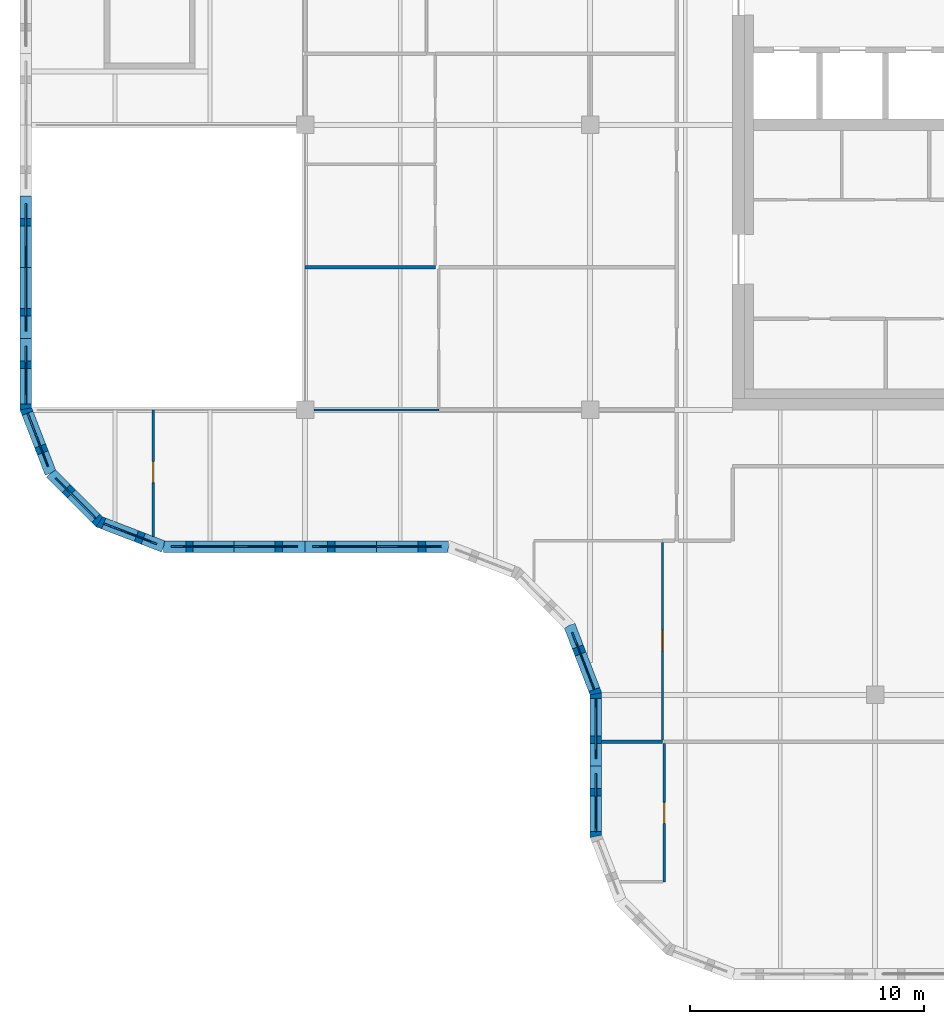
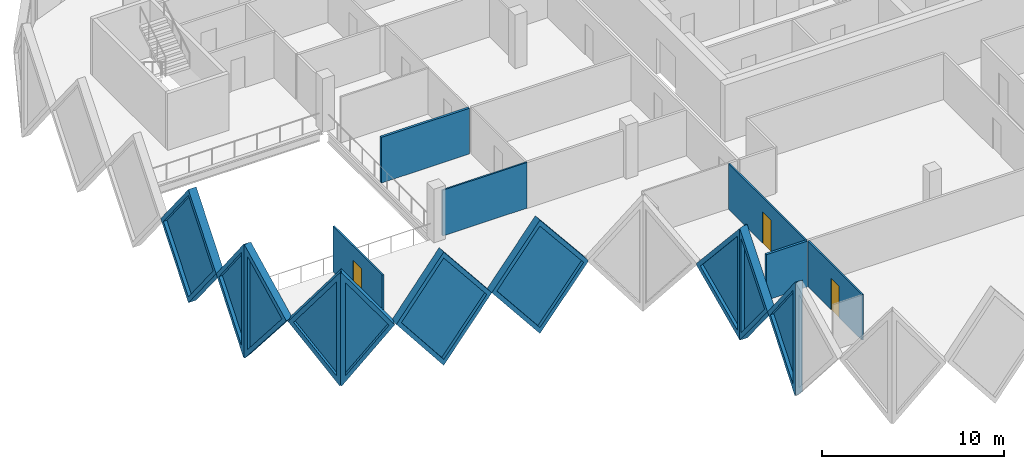
# One storey, part 3 of 11: 16 walls, 10 plates, 3 doors, 13 openings.
"""IFC4 building model written with IfcOpenShell, lengths in metres."""

from ifc_helpers import new_model, si_unit, direction, frame, frame_2d, origin, place, context, subcontext, project, spatial, polyline, rectangle, outline, extrude, faceted_brep, source, transform, mapped, material, layer, layer_set, type_object, element, fill, save


model = new_model("IFC4")

# Units and contexts
model_context = context("Model", 3, precision=1e-05, world=origin(), true_north=direction((0.0, 1.0)))
body_context = subcontext(model_context, "Body", "Model", "MODEL_VIEW")
ifc_project = project(units=[si_unit("LENGTHUNIT", "METRE"), si_unit("AREAUNIT", "SQUARE_METRE"), si_unit("VOLUMEUNIT", "CUBIC_METRE"), si_unit("PLANEANGLEUNIT", "RADIAN"), si_unit("MASSUNIT", "GRAM", prefix="KILO")], contexts=[model_context])

# Site, building, storey
site_placement = place(None, origin())
site = spatial("IfcSite", under=ifc_project, at=site_placement, CompositionType="ELEMENT")
building_placement = place(site_placement, origin())
building = spatial("IfcBuilding", under=site, at=building_placement, Name="Tessera Gate Towers", CompositionType="ELEMENT")
storey_placement = place(building_placement, frame((0.0, 0.0, 224.5)))
storey = spatial("IfcBuildingStorey", under=building, at=storey_placement, Name="L56", CompositionType="ELEMENT", Elevation=224.5)

# Wall, opening, door
ifc_material_1 = material(Name="Glass", Category="glass")
ifc_layer_1 = layer(ifc_material_1, 0.10009765625)
ifc_layer_set_1 = layer_set([ifc_layer_1], Name="GLAZED PARTITION 100")
wall_type_1 = type_object("IfcWallType", Name="GLAZED PARTITION 100", PredefinedType="PARTITIONING", material=ifc_layer_set_1)
wall_1_placement = place(storey_placement, frame((27.574951171875, 4.199951171875, 0.0), z_axis=(0.0, 0.0, 1.0), x_axis=(0.0, 1.0, 0.0)))
wall_1 = element("IfcWall", 1, at=wall_1_placement, inside=storey, type_object=wall_type_1, Name="T1-L56-PW-004", PredefinedType="PARTITIONING", context=body_context, shape_type="SweptSolid", body=[
    extrude(rectangle(XDim=5.924072265625, YDim=0.10009765625, at=frame_2d((2.9619140625, 0.0))), origin(), (0.0, 0.0, 1.0), 3.06689453125),
])
shared_shape_1 = source(origin(), body_context, "Body", "SweptSolid", [
    extrude(rectangle(XDim=0.89990234375, YDim=2.10009765625, at=frame_2d((0.449951171875, 1.050048828125))), frame((0.0, 0.06005859375, 0.0), z_axis=(0.0, -1.0, 0.0), x_axis=(1.0, 0.0, 0.0)), (0.0, 0.0, 1.0), 0.1201171875),
])
opening_1_placement = place(wall_1_placement, frame((2.5, 0.0, 0.0)))
opening_1 = element("IfcOpeningElement", 2, at=opening_1_placement, cuts=wall_1, Name="Opening D690-A20-08", PredefinedType="OPENING", context=body_context, shape_type="MappedRepresentation", body=[
    mapped(shared_shape_1, transform((0.0, 0.0, 0.0), scale=1.0)),
])
ifc_material_2 = material(Name="Glass in aluminium frame", Category="aluminium")
door_type = type_object("IfcDoorType", Name="GLAZED DOOR 900 NOT RATED", OperationType="NOTDEFINED", PredefinedType="DOOR", material=ifc_material_2)
shared_shape_2 = source(origin(), body_context, "Body", "SweptSolid", [
    extrude(rectangle(XDim=0.89990234375, YDim=2.10009765625, at=frame_2d((0.449951171875, 1.050048828125))), frame((0.0, 0.02490234375, 0.0), z_axis=(0.0, -1.0, 0.0), x_axis=(1.0, 0.0, 0.0)), (0.0, 0.0, 1.0), 0.050048828125),
])
door_1_placement = place(opening_1_placement, origin())
door_1 = element("IfcDoor", 3, at=door_1_placement, inside=storey, type_object=door_type, Name="T1-L56-PD-018", OperationType="SINGLE_SWING_LEFT", OverallHeight=2.10009765625, OverallWidth=0.89990234375, PredefinedType="DOOR", context=body_context, shape_type="MappedRepresentation", body=[
    mapped(shared_shape_2, transform((0.0, 0.0, 0.0), scale=1.0)),
])
fill(opening_1, door_1)

wall_2_placement = place(storey_placement, frame((27.5, 10.27587890625, 0.0), z_axis=(0.0, 0.0, 1.0), x_axis=(0.0, 1.0, 0.0)))
wall_2 = element("IfcWall", 4, at=wall_2_placement, inside=storey, type_object=wall_type_1, Name="T1-L56-PW-009", PredefinedType="PARTITIONING", context=body_context, shape_type="SweptSolid", body=[
    extrude(rectangle(XDim=8.4482421875, YDim=0.10009765625, at=frame_2d((4.22412109375, 0.0))), origin(), (0.0, 0.0, 1.0), 3.06689453125),
])
opening_2_placement = place(wall_2_placement, frame((3.800048828125, 0.0, 0.0)))
opening_2 = element("IfcOpeningElement", 5, at=opening_2_placement, cuts=wall_2, Name="Opening D690-A20-09", PredefinedType="OPENING", context=body_context, shape_type="MappedRepresentation", body=[
    mapped(shared_shape_1, transform((0.0, 0.0, 0.0), scale=1.0)),
])
door_2_placement = place(opening_2_placement, origin())
door_2 = element("IfcDoor", 6, at=door_2_placement, inside=storey, type_object=door_type, Name="T1-L56-PD-020", OperationType="SINGLE_SWING_LEFT", OverallHeight=2.10009765625, OverallWidth=0.89990234375, PredefinedType="DOOR", context=body_context, shape_type="MappedRepresentation", body=[
    mapped(shared_shape_2, transform((0.0, 0.0, 0.0), scale=1.0)),
])
fill(opening_2, door_2)

wall_3_placement = place(storey_placement, frame((5.699951171875, 18.990234375, 0.0), z_axis=(0.0, 0.0, 1.0), x_axis=(0.0, 1.0, 0.0)))
wall_3 = element("IfcWall", 7, at=wall_3_placement, inside=storey, type_object=wall_type_1, Name="T1-L56-PW-017", PredefinedType="PARTITIONING", context=body_context, shape_type="SweptSolid", body=[
    extrude(rectangle(XDim=5.40966796875, YDim=0.10009765625, at=frame_2d((2.704833984375, 0.0))), origin(), (0.0, 0.0, 1.0), 3.06689453125),
])
opening_3_placement = place(wall_3_placement, frame((2.300048828125, 0.0, 0.0)))
opening_3 = element("IfcOpeningElement", 8, at=opening_3_placement, cuts=wall_3, Name="Opening D690-A20-03", PredefinedType="OPENING", context=body_context, shape_type="MappedRepresentation", body=[
    mapped(shared_shape_1, transform((0.0, 0.0, 0.0), scale=1.0)),
])
door_3_placement = place(opening_3_placement, origin())
door_3 = element("IfcDoor", 9, at=door_3_placement, inside=storey, type_object=door_type, Name="T1-L56-PD-009", OperationType="SINGLE_SWING_LEFT", OverallHeight=2.10009765625, OverallWidth=0.89990234375, PredefinedType="DOOR", context=body_context, shape_type="MappedRepresentation", body=[
    mapped(shared_shape_2, transform((0.0, 0.0, 0.0), scale=1.0)),
])
fill(opening_3, door_3)

# Walls
wall_4_placement = place(storey_placement, frame((12.575927734375, 24.39990234375, 0.0), z_axis=(0.0, 0.0, 1.0), x_axis=(1.0, 0.0, 0.0)))
element("IfcWall", 10, at=wall_4_placement, inside=storey, type_object=wall_type_1, Name="T1-L56-PW-022", PredefinedType="PARTITIONING", context=body_context, shape_type="SweptSolid", body=[
    extrude(rectangle(XDim=5.34814453125, YDim=0.10009765625, at=frame_2d((2.674072265625, 0.0))), origin(), (0.0, 0.0, 1.0), 3.06689453125),
])
ifc_material_3 = material(Name="Gypsum board on steel studs, mineral wool", Category="steel")
ifc_layer_2 = layer(ifc_material_3, 0.14990234375)
ifc_layer_set_2 = layer_set([ifc_layer_2], Name="TENANCY WALL 150")
wall_type_2 = type_object("IfcWallType", Name="TENANCY WALL 150", PredefinedType="PARTITIONING", material=ifc_layer_set_2)
wall_5_placement = place(storey_placement, frame((24.89990234375, 10.199951171875, 0.0), z_axis=(0.0, 0.0, 1.0), x_axis=(1.0, 0.0, 0.0)))
element("IfcWall", 11, at=wall_5_placement, inside=storey, type_object=wall_type_2, Name="T1-L56-PW-007", PredefinedType="PARTITIONING", context=body_context, shape_type="SweptSolid", body=[
    extrude(rectangle(XDim=2.60009765625, YDim=0.14990234375, at=frame_2d((1.300048828125, 0.0))), origin(), (0.0, 0.0, 1.0), 3.06689453125),
])
wall_6_placement = place(storey_placement, frame((12.199951171875, 30.5, 0.0), z_axis=(0.0, 0.0, 1.0), x_axis=(1.0, 0.0, 0.0)))
element("IfcWall", 12, at=wall_6_placement, inside=storey, type_object=wall_type_2, Name="T1-L56-PW-026", PredefinedType="PARTITIONING", context=body_context, shape_type="SweptSolid", body=[
    extrude(rectangle(XDim=5.574951171875, YDim=0.14990234375, at=frame_2d((2.78759765625, 0.0))), origin(), (0.0, 0.0, 1.0), 3.06689453125),
])

# Wall, opening, plate
ifc_material_4 = material(Name="Precast concrete C60/75 white", Category="concrete")
ifc_layer_3 = layer(ifc_material_4, 0.5)
ifc_layer_set_3 = layer_set([ifc_layer_3], Name="TS1 tessera")
wall_type_3 = type_object("IfcWallType", Name="TS1 tessera", PredefinedType="SOLIDWALL", material=ifc_layer_set_3)
shared_shape_3 = source(origin(), body_context, "Body", "Brep", [
    faceted_brep([(3.00341796875, -0.25, 0.0), (6.053466796875, -0.25, 3.800048828125), (3.00341796875, -0.25, 7.60009765625), (0.0, -0.25, 3.800048828125), (0.046630859375, 0.25, 3.85888671875), (3.00341796875, 0.25, 7.60009765625), (6.053466796875, 0.25, 3.800048828125), (3.00341796875, 0.25, 0.0), (0.046630859375, 0.25, 3.7412109375), (0.0, 0.0, 3.800048828125)], [[[0, 1, 2, 3]], [[4, 5, 6, 7, 8]], [[7, 6, 1, 0]], [[6, 5, 2, 1]], [[5, 4, 9, 3, 2]], [[8, 7, 0, 3, 9]], [[8, 9, 4]]]),
])
wall_7_placement = place(storey_placement, frame((6.146484375, 18.550048828125, -3.800048828125), z_axis=(0.0, 0.0, 1.0), x_axis=(1.0, 0.0, 0.0)))
wall_7 = element("IfcWall", 13, at=wall_7_placement, inside=storey, type_object=wall_type_3, Name="Precast tessera T1 TS1-1010", PredefinedType="SOLIDWALL", context=body_context, shape_type="MappedRepresentation", body=[
    mapped(shared_shape_3, transform((0.0, 0.0, 0.0), scale=1.0)),
])
shared_shape_4 = source(origin(), body_context, "Body", "SweptSolid", [
    extrude(outline(polyline([(3.0048828125, 0.4013671875), (5.73291015625, 3.800048828125), (3.0048828125, 7.19873046875), (0.318603515625, 3.800048828125), (3.0048828125, 0.4013671875)])), frame((0.0, 0.260009765625, 0.0), z_axis=(0.0, -1.0, 0.0), x_axis=(1.0, 0.0, 0.0)), (0.0, 0.0, 1.0), 0.52001953125),
])
opening_4_placement = place(wall_7_placement, origin())
opening_4 = element("IfcOpeningElement", 14, at=opening_4_placement, cuts=wall_7, Name="Opening T1-PL2-2058", PredefinedType="OPENING", context=body_context, shape_type="MappedRepresentation", body=[
    mapped(shared_shape_4, transform((0.0, 0.0, 0.0), scale=1.0)),
])
ifc_material_5 = material(Name="Low-e laminated glass", Category="glass")
ifc_layer_4 = layer(ifc_material_5, 0.06005859375)
ifc_layer_set_4 = layer_set([ifc_layer_4], Name="PL2 rhombic pane")
plate_type = type_object("IfcPlateType", Name="PL2 rhombic pane", PredefinedType="SHEET", material=ifc_layer_set_4)
shared_shape_5 = source(origin(), body_context, "Body", "SweptSolid", [
    extrude(outline(polyline([(3.0048828125, 0.4013671875), (5.73291015625, 3.800048828125), (3.0048828125, 7.19873046875), (0.318603515625, 3.800048828125), (3.0048828125, 0.4013671875)])), frame((0.0, 0.030029296875, 0.0), z_axis=(0.0, -1.0, 0.0), x_axis=(1.0, 0.0, 0.0)), (0.0, 0.0, 1.0), 0.06005859375),
])
plate_1_placement = place(opening_4_placement, origin())
plate_1 = element("IfcPlate", 15, at=plate_1_placement, inside=storey, type_object=plate_type, Name="Glass pane T1 PL2-2058", PredefinedType="SHEET", context=body_context, shape_type="MappedRepresentation", body=[
    mapped(shared_shape_5, transform((0.0, 0.0, 0.0), scale=1.0)),
])
fill(opening_4, plate_1)

shared_shape_6 = source(origin(), body_context, "Body", "SweptSolid", [
    extrude(outline(polyline([(3.050048828125, 0.0), (6.10009765625, 3.800048828125), (3.050048828125, 7.60009765625), (0.0, 3.800048828125), (3.050048828125, 0.0)])), frame((0.0, 0.25, 0.0), z_axis=(0.0, -1.0, 0.0), x_axis=(1.0, 0.0, 0.0)), (0.0, 0.0, 1.0), 0.5),
])
wall_8_placement = place(storey_placement, frame((0.25, 33.550048828125, -3.800048828125), z_axis=(0.0, 0.0, 1.0), x_axis=(0.0, -1.0, 0.0)))
wall_8 = element("IfcWall", 16, at=wall_8_placement, inside=storey, type_object=wall_type_3, Name="Precast tessera T1 TS1-1009", PredefinedType="SOLIDWALL", context=body_context, shape_type="MappedRepresentation", body=[
    mapped(shared_shape_6, transform((0.0, 0.0, 0.0), scale=1.0)),
])
shared_shape_7 = source(origin(), body_context, "Body", "SweptSolid", [
    extrude(outline(polyline([(3.050048828125, 0.3994140625), (5.779541015625, 3.800048828125), (3.050048828125, 7.20068359375), (0.320556640625, 3.800048828125), (3.050048828125, 0.3994140625)])), frame((0.0, 0.260009765625, 0.0), z_axis=(0.0, -1.0, 0.0), x_axis=(1.0, 0.0, 0.0)), (0.0, 0.0, 1.0), 0.52001953125),
])
opening_5_placement = place(wall_8_placement, origin())
opening_5 = element("IfcOpeningElement", 17, at=opening_5_placement, cuts=wall_8, Name="Opening T1-PL2-2053", PredefinedType="OPENING", context=body_context, shape_type="MappedRepresentation", body=[
    mapped(shared_shape_7, transform((0.0, 0.0, 0.0), scale=1.0)),
])
shared_shape_8 = source(origin(), body_context, "Body", "SweptSolid", [
    extrude(outline(polyline([(3.050048828125, 0.3994140625), (5.779541015625, 3.800048828125), (3.050048828125, 7.20068359375), (0.320556640625, 3.800048828125), (3.050048828125, 0.3994140625)])), frame((0.0, 0.030029296875, 0.0), z_axis=(0.0, -1.0, 0.0), x_axis=(1.0, 0.0, 0.0)), (0.0, 0.0, 1.0), 0.06005859375),
])
plate_2_placement = place(opening_5_placement, origin())
plate_2 = element("IfcPlate", 18, at=plate_2_placement, inside=storey, type_object=plate_type, Name="Glass pane T1 PL2-2053", PredefinedType="SHEET", context=body_context, shape_type="MappedRepresentation", body=[
    mapped(shared_shape_8, transform((0.0, 0.0, 0.0), scale=1.0)),
])
fill(opening_5, plate_2)

ifc_material_6 = material(Name="Precast concrete C60/75 white", Category="concrete")
ifc_layer_5 = layer(ifc_material_6, 0.5)
ifc_layer_set_5 = layer_set([ifc_layer_5], Name="TS3 corner tessera")
wall_type_4 = type_object("IfcWallType", Name="TS3 corner tessera", PredefinedType="SOLIDWALL", material=ifc_layer_set_5)
shared_shape_9 = source(origin(), body_context, "Body", "Brep", [
    faceted_brep([(3.00341796875, -0.25, 0.0), (3.050048828125, -0.25, 0.06005859375), (3.050048828125, -0.25, 7.5400390625), (3.00341796875, -0.25, 7.60009765625), (0.0, -0.25, 3.800048828125), (0.0, 0.25, 3.800048828125), (2.956787109375, 0.25, 7.541259765625), (2.956787109375, 0.25, 0.058837890625), (3.00341796875, 0.000244140625, 0.0), (3.00341796875, 0.000244140625, 7.60009765625)], [[[0, 1, 2, 3, 4]], [[5, 6, 7]], [[1, 0, 8]], [[9, 3, 2]], [[6, 5, 4, 3, 9]], [[5, 7, 8, 0, 4]], [[1, 8, 7, 6, 9, 2]]]),
])
wall_9_placement = place(storey_placement, frame((0.25, 27.449951171875, -3.800048828125), z_axis=(0.0, 0.0, 1.0), x_axis=(0.0, -1.0, 0.0)))
wall_9 = element("IfcWall", 19, at=wall_9_placement, inside=storey, type_object=wall_type_4, Name="Precast corner tessera T1 TS3-1309", PredefinedType="SOLIDWALL", context=body_context, shape_type="MappedRepresentation", body=[
    mapped(shared_shape_9, transform((0.0, 0.0, 0.0), scale=1.0)),
])
shared_shape_10 = source(origin(), body_context, "Body", "SweptSolid", [
    extrude(outline(polyline([(2.803466796875, 6.94384765625), (0.318603515625, 3.800048828125), (2.803466796875, 0.65625), (2.803466796875, 6.94384765625)])), frame((0.0, 0.260009765625, 0.0), z_axis=(0.0, -1.0, 0.0), x_axis=(1.0, 0.0, 0.0)), (0.0, 0.0, 1.0), 0.52001953125),
])
opening_6_placement = place(wall_9_placement, origin())
opening_6 = element("IfcOpeningElement", 20, at=opening_6_placement, cuts=wall_9, Name="Opening T1-PL2-2054", PredefinedType="OPENING", context=body_context, shape_type="MappedRepresentation", body=[
    mapped(shared_shape_10, transform((0.0, 0.0, 0.0), scale=1.0)),
])
shared_shape_11 = source(origin(), body_context, "Body", "SweptSolid", [
    extrude(outline(polyline([(2.803466796875, 6.94384765625), (0.318603515625, 3.800048828125), (2.803466796875, 0.65625), (2.803466796875, 6.94384765625)])), frame((0.0, 0.030029296875, 0.0), z_axis=(0.0, -1.0, 0.0), x_axis=(1.0, 0.0, 0.0)), (0.0, 0.0, 1.0), 0.06005859375),
])
plate_3_placement = place(opening_6_placement, origin())
plate_3 = element("IfcPlate", 21, at=plate_3_placement, inside=storey, type_object=plate_type, Name="Glass pane T1 PL2-2054", PredefinedType="SHEET", context=body_context, shape_type="MappedRepresentation", body=[
    mapped(shared_shape_11, transform((0.0, 0.0, 0.0), scale=1.0)),
])
fill(opening_6, plate_3)

wall_10_placement = place(storey_placement, frame((24.64990234375, 9.14990234375, -3.800048828125), z_axis=(0.0, 0.0, 1.0), x_axis=(0.0, -1.0, 0.0)))
wall_10 = element("IfcWall", 22, at=wall_10_placement, inside=storey, type_object=wall_type_4, Name="Precast corner tessera T1 TS3-1317", PredefinedType="SOLIDWALL", context=body_context, shape_type="MappedRepresentation", body=[
    mapped(shared_shape_9, transform((0.0, 0.0, 0.0), scale=1.0)),
])
opening_7_placement = place(wall_10_placement, origin())
opening_7 = element("IfcOpeningElement", 23, at=opening_7_placement, cuts=wall_10, Name="Opening T1-PL2-2064", PredefinedType="OPENING", context=body_context, shape_type="MappedRepresentation", body=[
    mapped(shared_shape_10, transform((0.0, 0.0, 0.0), scale=1.0)),
])
plate_4_placement = place(opening_7_placement, origin())
plate_4 = element("IfcPlate", 24, at=plate_4_placement, inside=storey, type_object=plate_type, Name="Glass pane T1 PL2-2064", PredefinedType="SHEET", context=body_context, shape_type="MappedRepresentation", body=[
    mapped(shared_shape_11, transform((0.0, 0.0, 0.0), scale=1.0)),
])
fill(opening_7, plate_4)

shared_shape_12 = source(origin(), body_context, "Body", "Brep", [
    faceted_brep([(0.046630859375, -0.25, 0.0), (2.9970703125, -0.25, 3.800048828125), (0.046630859375, -0.25, 7.60009765625), (0.0, -0.25, 7.541259765625), (0.0, -0.25, 0.058837890625), (0.09326171875, 0.25, 7.5400390625), (2.9443359375, 0.25, 3.8681640625), (2.9443359375, 0.25, 3.73193359375), (0.09326171875, 0.25, 0.06005859375), (2.9970703125, 0.00048828125, 3.800048828125), (0.046630859375, 0.0, 0.0), (0.046630859375, 0.0, 7.60009765625)], [[[0, 1, 2, 3, 4]], [[5, 6, 7, 8]], [[8, 7, 9, 1, 0, 10]], [[6, 5, 11, 2, 1, 9]], [[3, 2, 11]], [[10, 0, 4]], [[8, 10, 4, 3, 11, 5]], [[9, 7, 6]]]),
])
wall_11_placement = place(storey_placement, frame((0.233154296875, 24.489990234375, -3.800048828125), z_axis=(0.0, 0.0, 1.0), x_axis=(0.359901446078, -0.932990326376, 0.0)))
wall_11 = element("IfcWall", 25, at=wall_11_placement, inside=storey, type_object=wall_type_4, Name="Precast corner tessera T1 TS3-1310", PredefinedType="SOLIDWALL", context=body_context, shape_type="MappedRepresentation", body=[
    mapped(shared_shape_12, transform((0.0, 0.0, 0.0), scale=1.0)),
])
shared_shape_13 = source(origin(), body_context, "Body", "SweptSolid", [
    extrude(outline(polyline([(0.24658203125, 0.665283203125), (2.6806640625, 3.800048828125), (0.24658203125, 6.934814453125), (0.24658203125, 0.665283203125)])), frame((0.0, 0.260009765625, 0.0), z_axis=(0.0, -1.0, 0.0), x_axis=(1.0, 0.0, 0.0)), (0.0, 0.0, 1.0), 0.52001953125),
])
opening_8_placement = place(wall_11_placement, origin())
opening_8 = element("IfcOpeningElement", 26, at=opening_8_placement, cuts=wall_11, Name="Opening T1-PL2-2055", PredefinedType="OPENING", context=body_context, shape_type="MappedRepresentation", body=[
    mapped(shared_shape_13, transform((0.0, 0.0, 0.0), scale=1.0)),
])
shared_shape_14 = source(origin(), body_context, "Body", "SweptSolid", [
    extrude(outline(polyline([(0.24658203125, 0.665283203125), (2.6806640625, 3.800048828125), (0.24658203125, 6.934814453125), (0.24658203125, 0.665283203125)])), frame((0.0, 0.030029296875, 0.0), z_axis=(0.0, -1.0, 0.0), x_axis=(1.0, 0.0, 0.0)), (0.0, 0.0, 1.0), 0.06005859375),
])
plate_5_placement = place(opening_8_placement, origin())
plate_5 = element("IfcPlate", 27, at=plate_5_placement, inside=storey, type_object=plate_type, Name="Glass pane T1 PL2-2055", PredefinedType="SHEET", context=body_context, shape_type="MappedRepresentation", body=[
    mapped(shared_shape_14, transform((0.0, 0.0, 0.0), scale=1.0)),
])
fill(opening_8, plate_5)

shared_shape_15 = source(origin(), body_context, "Body", "Brep", [
    faceted_brep([(0.052978515625, -0.25, 0.0), (3.00341796875, -0.25, 3.800048828125), (0.052978515625, -0.25, 7.60009765625), (0.0, -0.25, 7.53173828125), (0.0, -0.25, 0.068359375), (0.10595703125, 0.25, 7.531982421875), (2.95703125, 0.25, 3.85986328125), (2.95703125, 0.25, 3.740234375), (0.10595703125, 0.25, 0.068115234375), (3.00341796875, 0.00048828125, 3.800048828125), (0.052978515625, 0.0, 0.0), (0.052978515625, 0.0, 7.60009765625)], [[[0, 1, 2, 3, 4]], [[5, 6, 7, 8]], [[8, 7, 9, 1, 0, 10]], [[6, 5, 11, 2, 1, 9]], [[3, 2, 11]], [[10, 0, 4]], [[8, 10, 4, 3, 11, 5]], [[9, 7, 6]]]),
])
wall_12_placement = place(storey_placement, frame((3.34423828125, 19.630859375, -3.800048828125), z_axis=(0.0, 0.0, 1.0), x_axis=(0.933007896601, -0.359855894603, 0.0)))
wall_12 = element("IfcWall", 28, at=wall_12_placement, inside=storey, type_object=wall_type_4, Name="Precast corner tessera T1 TS3-1312", PredefinedType="SOLIDWALL", context=body_context, shape_type="MappedRepresentation", body=[
    mapped(shared_shape_15, transform((0.0, 0.0, 0.0), scale=1.0)),
])
shared_shape_16 = source(origin(), body_context, "Body", "SweptSolid", [
    extrude(outline(polyline([(0.2529296875, 0.665283203125), (2.68701171875, 3.800048828125), (0.2529296875, 6.934814453125), (0.2529296875, 0.665283203125)])), frame((0.0, 0.260009765625, 0.0), z_axis=(0.0, -1.0, 0.0), x_axis=(1.0, 0.0, 0.0)), (0.0, 0.0, 1.0), 0.52001953125),
])
opening_9_placement = place(wall_12_placement, origin())
opening_9 = element("IfcOpeningElement", 29, at=opening_9_placement, cuts=wall_12, Name="Opening T1-PL2-2057", PredefinedType="OPENING", context=body_context, shape_type="MappedRepresentation", body=[
    mapped(shared_shape_16, transform((0.0, 0.0, 0.0), scale=1.0)),
])
shared_shape_17 = source(origin(), body_context, "Body", "SweptSolid", [
    extrude(outline(polyline([(0.2529296875, 0.665283203125), (2.68701171875, 3.800048828125), (0.2529296875, 6.934814453125), (0.2529296875, 0.665283203125)])), frame((0.0, 0.030029296875, 0.0), z_axis=(0.0, -1.0, 0.0), x_axis=(1.0, 0.0, 0.0)), (0.0, 0.0, 1.0), 0.06005859375),
])
plate_6_placement = place(opening_9_placement, origin())
plate_6 = element("IfcPlate", 30, at=plate_6_placement, inside=storey, type_object=plate_type, Name="Glass pane T1 PL2-2057", PredefinedType="SHEET", context=body_context, shape_type="MappedRepresentation", body=[
    mapped(shared_shape_17, transform((0.0, 0.0, 0.0), scale=1.0)),
])
fill(opening_9, plate_6)

shared_shape_18 = source(origin(), body_context, "Body", "Brep", [
    faceted_brep([(2.944091796875, -0.25, 0.0), (2.9970703125, -0.25, 0.068115234375), (2.9970703125, -0.25, 7.531982421875), (2.944091796875, -0.25, 7.60009765625), (0.0, -0.25, 3.800048828125), (0.052978515625, 0.25, 3.868408203125), (2.89111328125, 0.25, 7.531982421875), (2.89111328125, 0.25, 0.068115234375), (0.052978515625, 0.25, 3.731689453125), (2.944091796875, 0.000244140625, 0.0), (2.944091796875, 0.000244140625, 7.60009765625), (0.0, 0.0, 3.800048828125)], [[[0, 1, 2, 3, 4]], [[5, 6, 7, 8]], [[1, 0, 9]], [[10, 3, 2]], [[6, 5, 11, 4, 3, 10]], [[8, 7, 9, 0, 4, 11]], [[8, 11, 5]], [[1, 9, 7, 6, 10, 2]]]),
])
wall_13_placement = place(storey_placement, frame((1.31201171875, 21.69384765625, -3.800048828125), z_axis=(0.0, 0.0, 1.0), x_axis=(0.707066050402, -0.707147509625, 0.0)))
wall_13 = element("IfcWall", 31, at=wall_13_placement, inside=storey, type_object=wall_type_4, Name="Precast corner tessera T1 TS3-1311", PredefinedType="SOLIDWALL", context=body_context, shape_type="MappedRepresentation", body=[
    mapped(shared_shape_18, transform((0.0, 0.0, 0.0), scale=1.0)),
])
shared_shape_19 = source(origin(), body_context, "Body", "SweptSolid", [
    extrude(outline(polyline([(2.744140625, 6.933837890625), (0.316162109375, 3.800048828125), (2.744140625, 0.666259765625), (2.744140625, 6.933837890625)])), frame((0.0, 0.260009765625, 0.0), z_axis=(0.0, -1.0, 0.0), x_axis=(1.0, 0.0, 0.0)), (0.0, 0.0, 1.0), 0.52001953125),
])
opening_10_placement = place(wall_13_placement, origin())
opening_10 = element("IfcOpeningElement", 32, at=opening_10_placement, cuts=wall_13, Name="Opening T1-PL2-2056", PredefinedType="OPENING", context=body_context, shape_type="MappedRepresentation", body=[
    mapped(shared_shape_19, transform((0.0, 0.0, 0.0), scale=1.0)),
])
shared_shape_20 = source(origin(), body_context, "Body", "SweptSolid", [
    extrude(outline(polyline([(2.744140625, 6.933837890625), (0.316162109375, 3.800048828125), (2.744140625, 0.666259765625), (2.744140625, 6.933837890625)])), frame((0.0, 0.030029296875, 0.0), z_axis=(0.0, -1.0, 0.0), x_axis=(1.0, 0.0, 0.0)), (0.0, 0.0, 1.0), 0.06005859375),
])
plate_7_placement = place(opening_10_placement, origin())
plate_7 = element("IfcPlate", 33, at=plate_7_placement, inside=storey, type_object=plate_type, Name="Glass pane T1 PL2-2056", PredefinedType="SHEET", context=body_context, shape_type="MappedRepresentation", body=[
    mapped(shared_shape_20, transform((0.0, 0.0, 0.0), scale=1.0)),
])
fill(opening_10, plate_7)

shared_shape_21 = source(origin(), body_context, "Body", "Brep", [
    faceted_brep([(3.050048828125, -0.25, 0.0), (6.10009765625, -0.25, 3.742919921875), (6.10009765625, -0.25, 3.857177734375), (3.050048828125, -0.25, 7.60009765625), (0.0, -0.25, 3.800048828125), (0.0, 0.25, 3.800048828125), (3.050048828125, 0.25, 7.60009765625), (6.146484375, 0.25, 3.800048828125), (3.050048828125, 0.25, 0.0), (6.146484375, -0.000244140625, 3.800048828125)], [[[0, 1, 2, 3, 4]], [[5, 6, 7, 8]], [[8, 7, 9, 1, 0]], [[7, 6, 3, 2, 9]], [[6, 5, 4, 3]], [[5, 8, 0, 4]], [[1, 9, 2]]]),
])
wall_14_placement = place(storey_placement, frame((12.199951171875, 18.550048828125, -3.800048828125), z_axis=(0.0, 0.0, 1.0), x_axis=(1.0, 0.0, 0.0)))
wall_14 = element("IfcWall", 34, at=wall_14_placement, inside=storey, type_object=wall_type_3, Name="Precast tessera T1 TS1-1011", PredefinedType="SOLIDWALL", context=body_context, shape_type="MappedRepresentation", body=[
    mapped(shared_shape_21, transform((0.0, 0.0, 0.0), scale=1.0)),
])
shared_shape_22 = source(origin(), body_context, "Body", "SweptSolid", [
    extrude(outline(polyline([(3.051513671875, 0.397705078125), (5.823974609375, 3.800048828125), (3.051513671875, 7.202392578125), (0.320556640625, 3.800048828125), (3.051513671875, 0.397705078125)])), frame((0.0, 0.260009765625, 0.0), z_axis=(0.0, -1.0, 0.0), x_axis=(1.0, 0.0, 0.0)), (0.0, 0.0, 1.0), 0.52001953125),
])
opening_11_placement = place(wall_14_placement, origin())
opening_11 = element("IfcOpeningElement", 35, at=opening_11_placement, cuts=wall_14, Name="Opening T1-PL2-2059", PredefinedType="OPENING", context=body_context, shape_type="MappedRepresentation", body=[
    mapped(shared_shape_22, transform((0.0, 0.0, 0.0), scale=1.0)),
])
shared_shape_23 = source(origin(), body_context, "Body", "SweptSolid", [
    extrude(outline(polyline([(3.051513671875, 0.397705078125), (5.823974609375, 3.800048828125), (3.051513671875, 7.202392578125), (0.320556640625, 3.800048828125), (3.051513671875, 0.397705078125)])), frame((0.0, 0.030029296875, 0.0), z_axis=(0.0, -1.0, 0.0), x_axis=(1.0, 0.0, 0.0)), (0.0, 0.0, 1.0), 0.06005859375),
])
plate_8_placement = place(opening_11_placement, origin())
plate_8 = element("IfcPlate", 36, at=plate_8_placement, inside=storey, type_object=plate_type, Name="Glass pane T1 PL2-2059", PredefinedType="SHEET", context=body_context, shape_type="MappedRepresentation", body=[
    mapped(shared_shape_23, transform((0.0, 0.0, 0.0), scale=1.0)),
])
fill(opening_11, plate_8)

shared_shape_24 = source(origin(), body_context, "Body", "Brep", [
    faceted_brep([(3.10302734375, -0.25, 7.5439453125), (0.052978515625, -0.25, 3.864013671875), (0.052978515625, -0.25, 3.736083984375), (3.10302734375, -0.25, 0.05615234375), (0.0, 0.25, 3.800048828125), (3.1494140625, 0.25, 7.60009765625), (3.196044921875, 0.25, 7.54296875), (3.196044921875, 0.25, 0.05712890625), (3.1494140625, 0.25, 0.0), (3.1494140625, -0.000244140625, 0.0), (3.1494140625, -0.000244140625, 7.60009765625), (0.0, 0.0, 3.800048828125)], [[[0, 1, 2, 3]], [[4, 5, 6, 7, 8]], [[8, 7, 9]], [[6, 5, 10]], [[5, 4, 11, 1, 0, 10]], [[4, 8, 9, 3, 2, 11]], [[11, 2, 1]], [[3, 9, 7, 6, 10, 0]]]),
])
wall_15_placement = place(storey_placement, frame((23.5166015625, 15.18505859375, -3.800048828125), z_axis=(0.0, 0.0, 1.0), x_axis=(0.359864468756, -0.933004589553, 0.0)))
wall_15 = element("IfcWall", 37, at=wall_15_placement, inside=storey, type_object=wall_type_4, Name="Precast corner tessera T1 TS3-1315", PredefinedType="SOLIDWALL", context=body_context, shape_type="MappedRepresentation", body=[
    mapped(shared_shape_24, transform((0.0, 0.0, 0.0), scale=1.0)),
])
shared_shape_25 = source(origin(), body_context, "Body", "SweptSolid", [
    extrude(outline(polyline([(2.949462890625, 6.967041015625), (0.32470703125, 3.800048828125), (2.949462890625, 0.633056640625), (2.949462890625, 6.967041015625)])), frame((0.0, 0.260009765625, 0.0), z_axis=(0.0, -1.0, 0.0), x_axis=(1.0, 0.0, 0.0)), (0.0, 0.0, 1.0), 0.52001953125),
])
opening_12_placement = place(wall_15_placement, origin())
opening_12 = element("IfcOpeningElement", 38, at=opening_12_placement, cuts=wall_15, Name="Opening T1-PL2-2062", PredefinedType="OPENING", context=body_context, shape_type="MappedRepresentation", body=[
    mapped(shared_shape_25, transform((0.0, 0.0, 0.0), scale=1.0)),
])
shared_shape_26 = source(origin(), body_context, "Body", "SweptSolid", [
    extrude(outline(polyline([(2.949462890625, 6.967041015625), (0.32470703125, 3.800048828125), (2.949462890625, 0.633056640625), (2.949462890625, 6.967041015625)])), frame((0.0, 0.030029296875, 0.0), z_axis=(0.0, -1.0, 0.0), x_axis=(1.0, 0.0, 0.0)), (0.0, 0.0, 1.0), 0.06005859375),
])
plate_9_placement = place(opening_12_placement, origin())
plate_9 = element("IfcPlate", 39, at=plate_9_placement, inside=storey, type_object=plate_type, Name="Glass pane T1 PL2-2062", PredefinedType="SHEET", context=body_context, shape_type="MappedRepresentation", body=[
    mapped(shared_shape_26, transform((0.0, 0.0, 0.0), scale=1.0)),
])
fill(opening_12, plate_9)

shared_shape_27 = source(origin(), body_context, "Body", "Brep", [
    faceted_brep([(0.09326171875, -0.25, 0.05712890625), (3.14306640625, -0.25, 3.800048828125), (0.09326171875, -0.25, 7.54296875), (0.0, 0.25, 7.5439453125), (0.046630859375, 0.25, 7.60009765625), (3.14306640625, 0.25, 3.800048828125), (0.046630859375, 0.25, 0.0), (0.0, 0.25, 0.05615234375), (0.046630859375, 0.0, 0.0), (0.046630859375, 0.0, 7.60009765625)], [[[0, 1, 2]], [[3, 4, 5, 6, 7]], [[6, 5, 1, 0, 8]], [[5, 4, 9, 2, 1]], [[4, 3, 9]], [[7, 6, 8]], [[7, 8, 0, 2, 9, 3]]]),
])
wall_16_placement = place(storey_placement, frame((24.64990234375, 12.293212890625, -3.800048828125), z_axis=(0.0, 0.0, 1.0), x_axis=(0.0, -1.0, 0.0)))
wall_16 = element("IfcWall", 40, at=wall_16_placement, inside=storey, type_object=wall_type_4, Name="Precast corner tessera T1 TS3-1316", PredefinedType="SOLIDWALL", context=body_context, shape_type="MappedRepresentation", body=[
    mapped(shared_shape_27, transform((0.0, 0.0, 0.0), scale=1.0)),
])
shared_shape_28 = source(origin(), body_context, "Body", "SweptSolid", [
    extrude(outline(polyline([(0.24658203125, 0.641357421875), (2.82080078125, 3.800048828125), (0.24658203125, 6.958740234375), (0.24658203125, 0.641357421875)])), frame((0.0, 0.260009765625, 0.0), z_axis=(0.0, -1.0, 0.0), x_axis=(1.0, 0.0, 0.0)), (0.0, 0.0, 1.0), 0.52001953125),
])
opening_13_placement = place(wall_16_placement, origin())
opening_13 = element("IfcOpeningElement", 41, at=opening_13_placement, cuts=wall_16, Name="Opening T1-PL2-2063", PredefinedType="OPENING", context=body_context, shape_type="MappedRepresentation", body=[
    mapped(shared_shape_28, transform((0.0, 0.0, 0.0), scale=1.0)),
])
shared_shape_29 = source(origin(), body_context, "Body", "SweptSolid", [
    extrude(outline(polyline([(0.24658203125, 0.641357421875), (2.82080078125, 3.800048828125), (0.24658203125, 6.958740234375), (0.24658203125, 0.641357421875)])), frame((0.0, 0.030029296875, 0.0), z_axis=(0.0, -1.0, 0.0), x_axis=(1.0, 0.0, 0.0)), (0.0, 0.0, 1.0), 0.06005859375),
])
plate_10_placement = place(opening_13_placement, origin())
plate_10 = element("IfcPlate", 42, at=plate_10_placement, inside=storey, type_object=plate_type, Name="Glass pane T1 PL2-2063", PredefinedType="SHEET", context=body_context, shape_type="MappedRepresentation", body=[
    mapped(shared_shape_29, transform((0.0, 0.0, 0.0), scale=1.0)),
])
fill(opening_13, plate_10)

save(model, "model.ifc")
